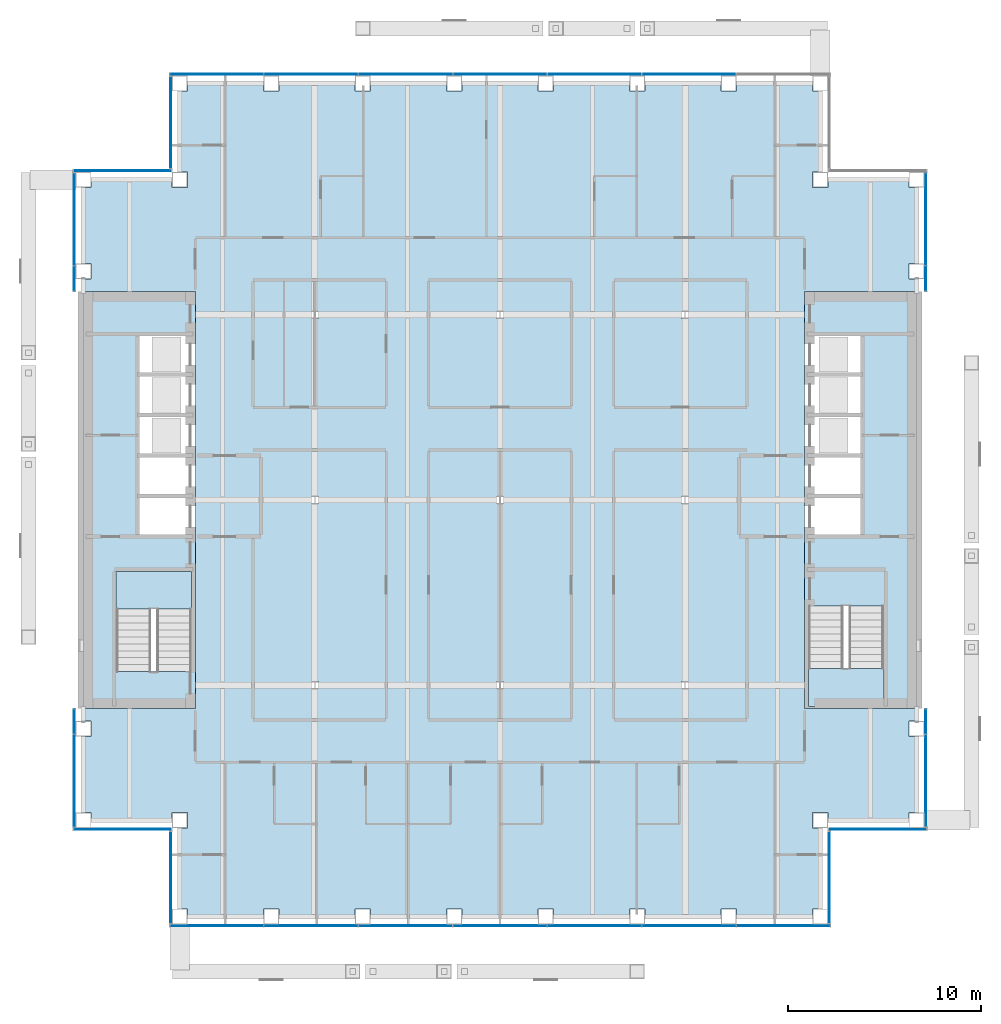
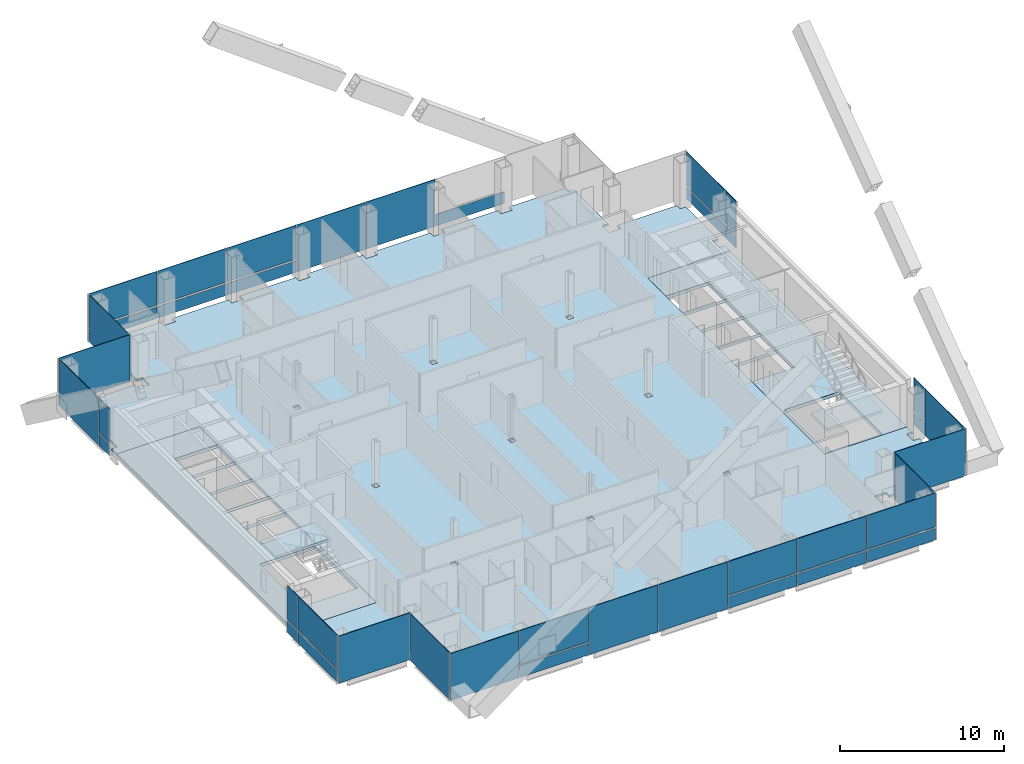
# One storey, part 11 of 17: 40 plates, 5 slabs, 14 elements without a shape of their own.
"""IFC4 building model written with IfcOpenShell, lengths in metres."""

from ifc_helpers import new_model, si_unit, direction, frame, origin, origin_2d, place, context, subcontext, project, spatial, polyline, rectangle, outline, extrude, material, layer, layer_set, type_object, element, aggregate, save


model = new_model("IFC4")

# Units and contexts
model_context = context("Model", 3, precision=1e-05, world=origin(), true_north=direction((0.0, 1.0)))
body_context = subcontext(model_context, "Body", "Model", "MODEL_VIEW")
ifc_project = project(units=[si_unit("LENGTHUNIT", "METRE"), si_unit("AREAUNIT", "SQUARE_METRE"), si_unit("VOLUMEUNIT", "CUBIC_METRE"), si_unit("PLANEANGLEUNIT", "RADIAN"), si_unit("MASSUNIT", "GRAM", prefix="KILO")], contexts=[model_context])

# Site, building, storey
site_placement = place(None, origin())
site = spatial("IfcSite", under=ifc_project, at=site_placement, CompositionType="ELEMENT")
building_placement = place(site_placement, origin())
building = spatial("IfcBuilding", under=site, at=building_placement, Name="Cobrizo Arcos Hotel Tower", CompositionType="ELEMENT")
storey_placement = place(building_placement, frame((0.0, 0.0, 151.5)))
storey = spatial("IfcBuildingStorey", under=building, at=storey_placement, Name="L38", CompositionType="ELEMENT", Elevation=151.5)

# Curtain wall, plates
ifc_material_1 = material(Name="Aluminium 6063-T6 anodised bronze", Category="aluminium")
curtain_wall_type = type_object("IfcCurtainWallType", Name="CW-A guest facade", PredefinedType="NOTDEFINED", material=ifc_material_1)
curtain_wall_1_placement = place(storey_placement, origin())
curtain_wall_1 = element("IfcCurtainWall", 1, at=curtain_wall_1_placement, inside=storey, type_object=curtain_wall_type, Name="CW-A L38 S face", PredefinedType="NOTDEFINED")
ifc_material_2 = material(Name="Glass clear laminated low-e", Category="glass")
ifc_layer_1 = layer(ifc_material_2, 0.0400390625)
ifc_layer_set_1 = layer_set([ifc_layer_1], Name="CW-A glass panel")
plate_type_1 = type_object("IfcPlateType", Name="CW-A glass panel", PredefinedType="CURTAIN_PANEL", material=ifc_layer_set_1)
plate_1_placement = place(storey_placement, frame((-9.800048828125, -22.074951171875, 0.990234375), z_axis=(0.0, 0.0, 1.0), x_axis=(1.0, 0.0, 0.0)))
plate_1 = element("IfcPlate", 2, at=plate_1_placement, type_object=plate_type_1, Name="CW-A glass panel 1367", PredefinedType="CURTAIN_PANEL", context=body_context, shape_type="SweptSolid", body=[
    extrude(rectangle(XDim=4.840087890625, YDim=0.0400390625, at=origin_2d()), origin(), (0.0, 0.0, 1.0), 2.510009765625),
])
plate_2_placement = place(storey_placement, frame((4.89990234375, -22.074951171875, 0.990234375), z_axis=(0.0, 0.0, 1.0), x_axis=(1.0, 0.0, 0.0)))
plate_2 = element("IfcPlate", 3, at=plate_2_placement, type_object=plate_type_1, Name="CW-A glass panel 1370", PredefinedType="CURTAIN_PANEL", context=body_context, shape_type="SweptSolid", body=[
    extrude(rectangle(XDim=4.840087890625, YDim=0.0400390625, at=origin_2d()), origin(), (0.0, 0.0, 1.0), 2.510009765625),
])
plate_3_placement = place(storey_placement, frame((9.800048828125, -22.074951171875, 0.990234375), z_axis=(0.0, 0.0, 1.0), x_axis=(1.0, 0.0, 0.0)))
plate_3 = element("IfcPlate", 4, at=plate_3_placement, type_object=plate_type_1, Name="CW-A glass panel 1371", PredefinedType="CURTAIN_PANEL", context=body_context, shape_type="SweptSolid", body=[
    extrude(rectangle(XDim=4.840087890625, YDim=0.0400390625, at=origin_2d()), origin(), (0.0, 0.0, 1.0), 2.510009765625),
])
plate_4_placement = place(storey_placement, frame((14.68505859375, -22.074951171875, 0.990234375), z_axis=(0.0, 0.0, 1.0), x_axis=(1.0, 0.0, 0.0)))
plate_4 = element("IfcPlate", 5, at=plate_4_placement, type_object=plate_type_1, Name="CW-A glass panel 1372", PredefinedType="CURTAIN_PANEL", context=body_context, shape_type="SweptSolid", body=[
    extrude(rectangle(XDim=4.81005859375, YDim=0.0400390625, at=origin_2d()), origin(), (0.0, 0.0, 1.0), 2.510009765625),
])

# Curtain wall, plate
curtain_wall_2_placement = place(storey_placement, origin())
curtain_wall_2 = element("IfcCurtainWall", 6, at=curtain_wall_2_placement, inside=storey, type_object=curtain_wall_type, Name="CW-A L38 E face", PredefinedType="NOTDEFINED")
plate_5_placement = place(storey_placement, frame((22.074951171875, -11.486328125, 0.990234375), z_axis=(0.0, 0.0, 1.0), x_axis=(0.0, 1.0, 0.0)))
plate_5 = element("IfcPlate", 7, at=plate_5_placement, type_object=plate_type_1, Name="CW-A glass panel 1376", PredefinedType="CURTAIN_PANEL", context=body_context, shape_type="SweptSolid", body=[
    extrude(rectangle(XDim=1.2529296875, YDim=0.0400390625, at=origin_2d()), origin(), (0.0, 0.0, 1.0), 2.510009765625),
])

# Curtain wall, plates
curtain_wall_3_placement = place(storey_placement, origin())
curtain_wall_3 = element("IfcCurtainWall", 8, at=curtain_wall_3_placement, inside=storey, type_object=curtain_wall_type, Name="CW-A L38 E face", PredefinedType="NOTDEFINED")
plate_6_placement = place(storey_placement, frame((22.074951171875, 11.486328125, 0.990234375), z_axis=(0.0, 0.0, 1.0), x_axis=(0.0, 1.0, 0.0)))
plate_6 = element("IfcPlate", 9, at=plate_6_placement, type_object=plate_type_1, Name="CW-A glass panel 1377", PredefinedType="CURTAIN_PANEL", context=body_context, shape_type="SweptSolid", body=[
    extrude(rectangle(XDim=1.2529296875, YDim=0.0400390625, at=origin_2d()), origin(), (0.0, 0.0, 1.0), 2.510009765625),
])
plate_7_placement = place(storey_placement, frame((22.074951171875, 14.556396484375, 0.990234375), z_axis=(0.0, 0.0, 1.0), x_axis=(0.0, 1.0, 0.0)))
plate_7 = element("IfcPlate", 10, at=plate_7_placement, type_object=plate_type_1, Name="CW-A glass panel 1378", PredefinedType="CURTAIN_PANEL", context=body_context, shape_type="SweptSolid", body=[
    extrude(rectangle(XDim=4.76708984375, YDim=0.0400390625, at=origin_2d()), origin(), (0.0, 0.0, 1.0), 2.510009765625),
])

curtain_wall_4_placement = place(storey_placement, origin())
curtain_wall_4 = element("IfcCurtainWall", 11, at=curtain_wall_4_placement, inside=storey, type_object=curtain_wall_type, Name="CW-A L38 N face", PredefinedType="NOTDEFINED")
plate_8_placement = place(storey_placement, frame((-4.89990234375, 22.074951171875, 0.990234375), z_axis=(0.0, 0.0, 1.0), x_axis=(-1.0, 0.0, 0.0)))
plate_8 = element("IfcPlate", 12, at=plate_8_placement, type_object=plate_type_1, Name="CW-A glass panel 1385", PredefinedType="CURTAIN_PANEL", context=body_context, shape_type="SweptSolid", body=[
    extrude(rectangle(XDim=4.840087890625, YDim=0.0400390625, at=origin_2d()), origin(), (0.0, 0.0, 1.0), 2.510009765625),
])
plate_9_placement = place(storey_placement, frame((-9.800048828125, 22.074951171875, 0.990234375), z_axis=(0.0, 0.0, 1.0), x_axis=(-1.0, 0.0, 0.0)))
plate_9 = element("IfcPlate", 13, at=plate_9_placement, type_object=plate_type_1, Name="CW-A glass panel 1386", PredefinedType="CURTAIN_PANEL", context=body_context, shape_type="SweptSolid", body=[
    extrude(rectangle(XDim=4.840087890625, YDim=0.0400390625, at=origin_2d()), origin(), (0.0, 0.0, 1.0), 2.510009765625),
])
plate_10_placement = place(storey_placement, frame((-14.68505859375, 22.074951171875, 0.990234375), z_axis=(0.0, 0.0, 1.0), x_axis=(-1.0, 0.0, 0.0)))
plate_10 = element("IfcPlate", 14, at=plate_10_placement, type_object=plate_type_1, Name="CW-A glass panel 1387", PredefinedType="CURTAIN_PANEL", context=body_context, shape_type="SweptSolid", body=[
    extrude(rectangle(XDim=4.81005859375, YDim=0.0400390625, at=origin_2d()), origin(), (0.0, 0.0, 1.0), 2.510009765625),
])

# Curtain wall, plate
curtain_wall_5_placement = place(storey_placement, origin())
curtain_wall_5 = element("IfcCurtainWall", 15, at=curtain_wall_5_placement, inside=storey, type_object=curtain_wall_type, Name="CW-A L38 W face", PredefinedType="NOTDEFINED")
plate_11_placement = place(storey_placement, frame((-22.074951171875, 11.486328125, 0.990234375), z_axis=(0.0, 0.0, 1.0), x_axis=(0.0, -1.0, 0.0)))
plate_11 = element("IfcPlate", 16, at=plate_11_placement, type_object=plate_type_1, Name="CW-A glass panel 1391", PredefinedType="CURTAIN_PANEL", context=body_context, shape_type="SweptSolid", body=[
    extrude(rectangle(XDim=1.2529296875, YDim=0.0400390625, at=origin_2d()), origin(), (0.0, 0.0, 1.0), 2.510009765625),
])

# Curtain wall, plates
curtain_wall_6_placement = place(storey_placement, origin())
curtain_wall_6 = element("IfcCurtainWall", 17, at=curtain_wall_6_placement, inside=storey, type_object=curtain_wall_type, Name="CW-A L38 W face", PredefinedType="NOTDEFINED")
plate_12_placement = place(storey_placement, frame((-22.074951171875, -11.486328125, 0.990234375), z_axis=(0.0, 0.0, 1.0), x_axis=(0.0, -1.0, 0.0)))
plate_12 = element("IfcPlate", 18, at=plate_12_placement, type_object=plate_type_1, Name="CW-A glass panel 1392", PredefinedType="CURTAIN_PANEL", context=body_context, shape_type="SweptSolid", body=[
    extrude(rectangle(XDim=1.2529296875, YDim=0.0400390625, at=origin_2d()), origin(), (0.0, 0.0, 1.0), 2.510009765625),
])
plate_13_placement = place(storey_placement, frame((-22.074951171875, -14.556396484375, 0.990234375), z_axis=(0.0, 0.0, 1.0), x_axis=(0.0, -1.0, 0.0)))
plate_13 = element("IfcPlate", 19, at=plate_13_placement, type_object=plate_type_1, Name="CW-A glass panel 1393", PredefinedType="CURTAIN_PANEL", context=body_context, shape_type="SweptSolid", body=[
    extrude(rectangle(XDim=4.76708984375, YDim=0.0400390625, at=origin_2d()), origin(), (0.0, 0.0, 1.0), 2.510009765625),
])

# Plate
ifc_material_3 = material(Name="Aluminium composite panel pale metal", Category="aluminium")
ifc_layer_2 = layer(ifc_material_3, 0.0400390625)
ifc_layer_set_2 = layer_set([ifc_layer_2], Name="CW-A spandrel panel")
plate_type_2 = type_object("IfcPlateType", Name="CW-A spandrel panel", PredefinedType="CURTAIN_PANEL", material=ifc_layer_set_2)
plate_14_placement = place(storey_placement, frame((-14.68505859375, -22.074951171875, 0.0), z_axis=(0.0, 0.0, 1.0), x_axis=(1.0, 0.0, 0.0)))
plate_14 = element("IfcPlate", 20, at=plate_14_placement, type_object=plate_type_2, Name="CW-A spandrel panel 1366", PredefinedType="CURTAIN_PANEL", context=body_context, shape_type="SweptSolid", body=[
    extrude(rectangle(XDim=4.81005859375, YDim=0.0400390625, at=origin_2d()), origin(), (0.0, 0.0, 1.0), 3.5),
])

plate_15_placement = place(storey_placement, frame((-9.800048828125, -22.074951171875, 0.0), z_axis=(0.0, 0.0, 1.0), x_axis=(1.0, 0.0, 0.0)))
plate_15 = element("IfcPlate", 21, at=plate_15_placement, type_object=plate_type_2, Name="CW-A spandrel panel 1367", PredefinedType="CURTAIN_PANEL", context=body_context, shape_type="SweptSolid", body=[
    extrude(rectangle(XDim=4.840087890625, YDim=0.0400390625, at=origin_2d()), origin(), (0.0, 0.0, 1.0), 0.8701171875),
])

plate_16_placement = place(storey_placement, frame((-4.89990234375, -22.074951171875, 0.0), z_axis=(0.0, 0.0, 1.0), x_axis=(1.0, 0.0, 0.0)))
plate_16 = element("IfcPlate", 22, at=plate_16_placement, type_object=plate_type_2, Name="CW-A spandrel panel 1368", PredefinedType="CURTAIN_PANEL", context=body_context, shape_type="SweptSolid", body=[
    extrude(rectangle(XDim=4.840087890625, YDim=0.0400390625, at=origin_2d()), origin(), (0.0, 0.0, 1.0), 3.5),
])

plate_17_placement = place(storey_placement, frame((0.0, -22.074951171875, 0.0), z_axis=(0.0, 0.0, 1.0), x_axis=(1.0, 0.0, 0.0)))
plate_17 = element("IfcPlate", 23, at=plate_17_placement, type_object=plate_type_2, Name="CW-A spandrel panel 1369", PredefinedType="CURTAIN_PANEL", context=body_context, shape_type="SweptSolid", body=[
    extrude(rectangle(XDim=4.840087890625, YDim=0.0400390625, at=origin_2d()), origin(), (0.0, 0.0, 1.0), 3.5),
])

plate_18_placement = place(storey_placement, frame((4.89990234375, -22.074951171875, 0.0), z_axis=(0.0, 0.0, 1.0), x_axis=(1.0, 0.0, 0.0)))
plate_18 = element("IfcPlate", 24, at=plate_18_placement, type_object=plate_type_2, Name="CW-A spandrel panel 1370", PredefinedType="CURTAIN_PANEL", context=body_context, shape_type="SweptSolid", body=[
    extrude(rectangle(XDim=4.840087890625, YDim=0.0400390625, at=origin_2d()), origin(), (0.0, 0.0, 1.0), 0.8701171875),
])

plate_19_placement = place(storey_placement, frame((9.800048828125, -22.074951171875, 0.0), z_axis=(0.0, 0.0, 1.0), x_axis=(1.0, 0.0, 0.0)))
plate_19 = element("IfcPlate", 25, at=plate_19_placement, type_object=plate_type_2, Name="CW-A spandrel panel 1371", PredefinedType="CURTAIN_PANEL", context=body_context, shape_type="SweptSolid", body=[
    extrude(rectangle(XDim=4.840087890625, YDim=0.0400390625, at=origin_2d()), origin(), (0.0, 0.0, 1.0), 0.8701171875),
])

plate_20_placement = place(storey_placement, frame((14.68505859375, -22.074951171875, 0.0), z_axis=(0.0, 0.0, 1.0), x_axis=(1.0, 0.0, 0.0)))
plate_20 = element("IfcPlate", 26, at=plate_20_placement, type_object=plate_type_2, Name="CW-A spandrel panel 1372", PredefinedType="CURTAIN_PANEL", context=body_context, shape_type="SweptSolid", body=[
    extrude(rectangle(XDim=4.81005859375, YDim=0.0400390625, at=origin_2d()), origin(), (0.0, 0.0, 1.0), 0.8701171875),
])

aggregate(curtain_wall_1, [plate_14, plate_15, plate_1, plate_16, plate_17, plate_18, plate_2, plate_19, plate_3, plate_20, plate_4])

# Curtain wall, plate
curtain_wall_7_placement = place(storey_placement, origin())
curtain_wall_7 = element("IfcCurtainWall", 27, at=curtain_wall_7_placement, inside=storey, type_object=curtain_wall_type, Name="CW-A L38 E face", PredefinedType="NOTDEFINED")
plate_21_placement = place(storey_placement, frame((17.074951171875, -19.574951171875, 0.0), z_axis=(0.0, 0.0, 1.0), x_axis=(0.0, 1.0, 0.0)))
plate_21 = element("IfcPlate", 28, at=plate_21_placement, type_object=plate_type_2, Name="CW-A spandrel panel 1373", PredefinedType="CURTAIN_PANEL", context=body_context, shape_type="SweptSolid", body=[
    extrude(rectangle(XDim=4.72998046875, YDim=0.0400390625, at=origin_2d()), origin(), (0.0, 0.0, 1.0), 3.5),
])
aggregate(curtain_wall_7, [plate_21])

curtain_wall_8_placement = place(storey_placement, origin())
curtain_wall_8 = element("IfcCurtainWall", 29, at=curtain_wall_8_placement, inside=storey, type_object=curtain_wall_type, Name="CW-A L38 S face", PredefinedType="NOTDEFINED")
plate_22_placement = place(storey_placement, frame((19.574951171875, -17.074951171875, 0.0), z_axis=(0.0, 0.0, 1.0), x_axis=(1.0, 0.0, 0.0)))
plate_22 = element("IfcPlate", 30, at=plate_22_placement, type_object=plate_type_2, Name="CW-A spandrel panel 1374", PredefinedType="CURTAIN_PANEL", context=body_context, shape_type="SweptSolid", body=[
    extrude(rectangle(XDim=5.030029296875, YDim=0.0400390625, at=origin_2d()), origin(), (0.0, 0.0, 1.0), 3.5),
])
aggregate(curtain_wall_8, [plate_22])

# Plate
plate_23_placement = place(storey_placement, frame((22.074951171875, -14.556396484375, 0.0), z_axis=(0.0, 0.0, 1.0), x_axis=(0.0, 1.0, 0.0)))
plate_23 = element("IfcPlate", 31, at=plate_23_placement, type_object=plate_type_2, Name="CW-A spandrel panel 1375", PredefinedType="CURTAIN_PANEL", context=body_context, shape_type="SweptSolid", body=[
    extrude(rectangle(XDim=4.76708984375, YDim=0.0400390625, at=origin_2d()), origin(), (0.0, 0.0, 1.0), 3.5),
])

plate_24_placement = place(storey_placement, frame((22.074951171875, -11.486328125, 0.0), z_axis=(0.0, 0.0, 1.0), x_axis=(0.0, 1.0, 0.0)))
plate_24 = element("IfcPlate", 32, at=plate_24_placement, type_object=plate_type_2, Name="CW-A spandrel panel 1376", PredefinedType="CURTAIN_PANEL", context=body_context, shape_type="SweptSolid", body=[
    extrude(rectangle(XDim=1.2529296875, YDim=0.0400390625, at=origin_2d()), origin(), (0.0, 0.0, 1.0), 0.8701171875),
])

aggregate(curtain_wall_2, [plate_23, plate_24, plate_5])

plate_25_placement = place(storey_placement, frame((22.074951171875, 11.486328125, 0.0), z_axis=(0.0, 0.0, 1.0), x_axis=(0.0, 1.0, 0.0)))
plate_25 = element("IfcPlate", 33, at=plate_25_placement, type_object=plate_type_2, Name="CW-A spandrel panel 1377", PredefinedType="CURTAIN_PANEL", context=body_context, shape_type="SweptSolid", body=[
    extrude(rectangle(XDim=1.2529296875, YDim=0.0400390625, at=origin_2d()), origin(), (0.0, 0.0, 1.0), 0.8701171875),
])

plate_26_placement = place(storey_placement, frame((22.074951171875, 14.556396484375, 0.0), z_axis=(0.0, 0.0, 1.0), x_axis=(0.0, 1.0, 0.0)))
plate_26 = element("IfcPlate", 34, at=plate_26_placement, type_object=plate_type_2, Name="CW-A spandrel panel 1378", PredefinedType="CURTAIN_PANEL", context=body_context, shape_type="SweptSolid", body=[
    extrude(rectangle(XDim=4.76708984375, YDim=0.0400390625, at=origin_2d()), origin(), (0.0, 0.0, 1.0), 0.8701171875),
])

aggregate(curtain_wall_3, [plate_25, plate_6, plate_26, plate_7])

plate_27_placement = place(storey_placement, frame((9.800048828125, 22.074951171875, 0.0), z_axis=(0.0, 0.0, 1.0), x_axis=(-1.0, 0.0, 0.0)))
plate_27 = element("IfcPlate", 35, at=plate_27_placement, type_object=plate_type_2, Name="CW-A spandrel panel 1382", PredefinedType="CURTAIN_PANEL", context=body_context, shape_type="SweptSolid", body=[
    extrude(rectangle(XDim=4.840087890625, YDim=0.0400390625, at=origin_2d()), origin(), (0.0, 0.0, 1.0), 0.8701171875),
])

plate_28_placement = place(storey_placement, frame((4.89990234375, 22.074951171875, 0.0), z_axis=(0.0, 0.0, 1.0), x_axis=(-1.0, 0.0, 0.0)))
plate_28 = element("IfcPlate", 36, at=plate_28_placement, type_object=plate_type_2, Name="CW-A spandrel panel 1383", PredefinedType="CURTAIN_PANEL", context=body_context, shape_type="SweptSolid", body=[
    extrude(rectangle(XDim=4.840087890625, YDim=0.0400390625, at=origin_2d()), origin(), (0.0, 0.0, 1.0), 3.5),
])

plate_29_placement = place(storey_placement, frame((0.0, 22.074951171875, 0.0), z_axis=(0.0, 0.0, 1.0), x_axis=(-1.0, 0.0, 0.0)))
plate_29 = element("IfcPlate", 37, at=plate_29_placement, type_object=plate_type_2, Name="CW-A spandrel panel 1384", PredefinedType="CURTAIN_PANEL", context=body_context, shape_type="SweptSolid", body=[
    extrude(rectangle(XDim=4.840087890625, YDim=0.0400390625, at=origin_2d()), origin(), (0.0, 0.0, 1.0), 3.5),
])

plate_30_placement = place(storey_placement, frame((-4.89990234375, 22.074951171875, 0.0), z_axis=(0.0, 0.0, 1.0), x_axis=(-1.0, 0.0, 0.0)))
plate_30 = element("IfcPlate", 38, at=plate_30_placement, type_object=plate_type_2, Name="CW-A spandrel panel 1385", PredefinedType="CURTAIN_PANEL", context=body_context, shape_type="SweptSolid", body=[
    extrude(rectangle(XDim=4.840087890625, YDim=0.0400390625, at=origin_2d()), origin(), (0.0, 0.0, 1.0), 0.8701171875),
])

plate_31_placement = place(storey_placement, frame((-9.800048828125, 22.074951171875, 0.0), z_axis=(0.0, 0.0, 1.0), x_axis=(-1.0, 0.0, 0.0)))
plate_31 = element("IfcPlate", 39, at=plate_31_placement, type_object=plate_type_2, Name="CW-A spandrel panel 1386", PredefinedType="CURTAIN_PANEL", context=body_context, shape_type="SweptSolid", body=[
    extrude(rectangle(XDim=4.840087890625, YDim=0.0400390625, at=origin_2d()), origin(), (0.0, 0.0, 1.0), 0.8701171875),
])

plate_32_placement = place(storey_placement, frame((-14.68505859375, 22.074951171875, 0.0), z_axis=(0.0, 0.0, 1.0), x_axis=(-1.0, 0.0, 0.0)))
plate_32 = element("IfcPlate", 40, at=plate_32_placement, type_object=plate_type_2, Name="CW-A spandrel panel 1387", PredefinedType="CURTAIN_PANEL", context=body_context, shape_type="SweptSolid", body=[
    extrude(rectangle(XDim=4.81005859375, YDim=0.0400390625, at=origin_2d()), origin(), (0.0, 0.0, 1.0), 0.8701171875),
])

aggregate(curtain_wall_4, [plate_27, plate_28, plate_29, plate_30, plate_8, plate_31, plate_9, plate_32, plate_10])

# Curtain wall, plate
curtain_wall_9_placement = place(storey_placement, origin())
curtain_wall_9 = element("IfcCurtainWall", 41, at=curtain_wall_9_placement, inside=storey, type_object=curtain_wall_type, Name="CW-A L38 W face", PredefinedType="NOTDEFINED")
plate_33_placement = place(storey_placement, frame((-17.074951171875, 19.574951171875, 0.0), z_axis=(0.0, 0.0, 1.0), x_axis=(0.0, -1.0, 0.0)))
plate_33 = element("IfcPlate", 42, at=plate_33_placement, type_object=plate_type_2, Name="CW-A spandrel panel 1388", PredefinedType="CURTAIN_PANEL", context=body_context, shape_type="SweptSolid", body=[
    extrude(rectangle(XDim=4.72998046875, YDim=0.0400390625, at=origin_2d()), origin(), (0.0, 0.0, 1.0), 3.5),
])
aggregate(curtain_wall_9, [plate_33])

curtain_wall_10_placement = place(storey_placement, origin())
curtain_wall_10 = element("IfcCurtainWall", 43, at=curtain_wall_10_placement, inside=storey, type_object=curtain_wall_type, Name="CW-A L38 N face", PredefinedType="NOTDEFINED")
plate_34_placement = place(storey_placement, frame((-19.574951171875, 17.074951171875, 0.0), z_axis=(0.0, 0.0, 1.0), x_axis=(-1.0, 0.0, 0.0)))
plate_34 = element("IfcPlate", 44, at=plate_34_placement, type_object=plate_type_2, Name="CW-A spandrel panel 1389", PredefinedType="CURTAIN_PANEL", context=body_context, shape_type="SweptSolid", body=[
    extrude(rectangle(XDim=5.030029296875, YDim=0.0400390625, at=origin_2d()), origin(), (0.0, 0.0, 1.0), 3.5),
])
aggregate(curtain_wall_10, [plate_34])

# Plate
plate_35_placement = place(storey_placement, frame((-22.074951171875, 14.556396484375, 0.0), z_axis=(0.0, 0.0, 1.0), x_axis=(0.0, -1.0, 0.0)))
plate_35 = element("IfcPlate", 45, at=plate_35_placement, type_object=plate_type_2, Name="CW-A spandrel panel 1390", PredefinedType="CURTAIN_PANEL", context=body_context, shape_type="SweptSolid", body=[
    extrude(rectangle(XDim=4.76708984375, YDim=0.0400390625, at=origin_2d()), origin(), (0.0, 0.0, 1.0), 3.5),
])

plate_36_placement = place(storey_placement, frame((-22.074951171875, 11.486328125, 0.0), z_axis=(0.0, 0.0, 1.0), x_axis=(0.0, -1.0, 0.0)))
plate_36 = element("IfcPlate", 46, at=plate_36_placement, type_object=plate_type_2, Name="CW-A spandrel panel 1391", PredefinedType="CURTAIN_PANEL", context=body_context, shape_type="SweptSolid", body=[
    extrude(rectangle(XDim=1.2529296875, YDim=0.0400390625, at=origin_2d()), origin(), (0.0, 0.0, 1.0), 0.8701171875),
])

aggregate(curtain_wall_5, [plate_35, plate_36, plate_11])

plate_37_placement = place(storey_placement, frame((-22.074951171875, -11.486328125, 0.0), z_axis=(0.0, 0.0, 1.0), x_axis=(0.0, -1.0, 0.0)))
plate_37 = element("IfcPlate", 47, at=plate_37_placement, type_object=plate_type_2, Name="CW-A spandrel panel 1392", PredefinedType="CURTAIN_PANEL", context=body_context, shape_type="SweptSolid", body=[
    extrude(rectangle(XDim=1.2529296875, YDim=0.0400390625, at=origin_2d()), origin(), (0.0, 0.0, 1.0), 0.8701171875),
])

plate_38_placement = place(storey_placement, frame((-22.074951171875, -14.556396484375, 0.0), z_axis=(0.0, 0.0, 1.0), x_axis=(0.0, -1.0, 0.0)))
plate_38 = element("IfcPlate", 48, at=plate_38_placement, type_object=plate_type_2, Name="CW-A spandrel panel 1393", PredefinedType="CURTAIN_PANEL", context=body_context, shape_type="SweptSolid", body=[
    extrude(rectangle(XDim=4.76708984375, YDim=0.0400390625, at=origin_2d()), origin(), (0.0, 0.0, 1.0), 0.8701171875),
])

aggregate(curtain_wall_6, [plate_37, plate_12, plate_38, plate_13])

# Curtain wall, plate
curtain_wall_11_placement = place(storey_placement, origin())
curtain_wall_11 = element("IfcCurtainWall", 49, at=curtain_wall_11_placement, inside=storey, type_object=curtain_wall_type, Name="CW-A L38 S face", PredefinedType="NOTDEFINED")
plate_39_placement = place(storey_placement, frame((-19.574951171875, -17.074951171875, 0.0), z_axis=(0.0, 0.0, 1.0), x_axis=(1.0, 0.0, 0.0)))
plate_39 = element("IfcPlate", 50, at=plate_39_placement, type_object=plate_type_2, Name="CW-A spandrel panel 1394", PredefinedType="CURTAIN_PANEL", context=body_context, shape_type="SweptSolid", body=[
    extrude(rectangle(XDim=5.030029296875, YDim=0.0400390625, at=origin_2d()), origin(), (0.0, 0.0, 1.0), 3.5),
])
aggregate(curtain_wall_11, [plate_39])

curtain_wall_12_placement = place(storey_placement, origin())
curtain_wall_12 = element("IfcCurtainWall", 51, at=curtain_wall_12_placement, inside=storey, type_object=curtain_wall_type, Name="CW-A L38 W face", PredefinedType="NOTDEFINED")
plate_40_placement = place(storey_placement, frame((-17.074951171875, -19.574951171875, 0.0), z_axis=(0.0, 0.0, 1.0), x_axis=(0.0, -1.0, 0.0)))
plate_40 = element("IfcPlate", 52, at=plate_40_placement, type_object=plate_type_2, Name="CW-A spandrel panel 1395", PredefinedType="CURTAIN_PANEL", context=body_context, shape_type="SweptSolid", body=[
    extrude(rectangle(XDim=4.72998046875, YDim=0.0400390625, at=origin_2d()), origin(), (0.0, 0.0, 1.0), 3.5),
])
aggregate(curtain_wall_12, [plate_40])

# Slabs
ifc_material_4 = material(Name="Concrete f'c 35 MPa", Category="concrete")
ifc_layer_3 = layer(ifc_material_4, 0.14990234375)
ifc_layer_set_3 = layer_set([ifc_layer_3], Name="Composite floor slab 150 f'c 35")
slab_type_1 = type_object("IfcSlabType", Name="Composite floor slab 150 f'c 35", PredefinedType="FLOOR", material=ifc_layer_set_3)
slab_1_placement = place(storey_placement, frame((0.0, 0.0, -0.14990234375)))
element("IfcSlab", 53, at=slab_1_placement, inside=storey, type_object=slab_type_1, Name="Floor slab S5, L38, no. 01", PredefinedType="FLOOR", context=body_context, shape_type="SweptSolid", body=[
    extrude(outline(polyline([(-16.199951171875, -21.60009765625), (-16.199951171875, -21.199951171875), (-16.60009765625, -21.199951171875), (-16.60009765625, -17.0), (-16.199951171875, -17.0), (-16.199951171875, -16.199951171875), (-17.0, -16.199951171875), (-17.0, -16.60009765625), (-21.199951171875, -16.60009765625), (-21.199951171875, -16.199951171875), (-21.60009765625, -16.199951171875), (-21.60009765625, -12.257080078125), (-21.199951171875, -12.257080078125), (-21.199951171875, -11.45703125), (-21.60009765625, -11.45703125), (-21.60009765625, -10.800048828125), (-15.800048828125, -10.800048828125), (-15.800048828125, 10.800048828125), (-21.60009765625, 10.800048828125), (-21.60009765625, 11.45703125), (-21.199951171875, 11.45703125), (-21.199951171875, 12.257080078125), (-21.60009765625, 12.257080078125), (-21.60009765625, 16.199951171875), (-21.199951171875, 16.199951171875), (-21.199951171875, 16.60009765625), (-17.0, 16.60009765625), (-17.0, 16.199951171875), (-16.199951171875, 16.199951171875), (-16.199951171875, 17.0), (-16.60009765625, 17.0), (-16.60009765625, 21.199951171875), (-16.199951171875, 21.199951171875), (-16.199951171875, 21.60009765625), (-12.257080078125, 21.60009765625), (-12.257080078125, 21.199951171875), (-11.45703125, 21.199951171875), (-11.45703125, 21.60009765625), (-7.513916015625, 21.60009765625), (-7.513916015625, 21.199951171875), (-6.714111328125, 21.199951171875), (-6.714111328125, 21.60009765625), (-2.77099609375, 21.60009765625), (-2.77099609375, 21.199951171875), (-1.970947265625, 21.199951171875), (-1.970947265625, 21.60009765625), (1.970947265625, 21.60009765625), (1.970947265625, 21.199951171875), (2.77099609375, 21.199951171875), (2.77099609375, 21.60009765625), (6.714111328125, 21.60009765625), (6.714111328125, 21.199951171875), (7.513916015625, 21.199951171875), (7.513916015625, 21.60009765625), (11.45703125, 21.60009765625), (11.45703125, 21.199951171875), (12.257080078125, 21.199951171875), (12.257080078125, 21.60009765625), (16.199951171875, 21.60009765625), (16.199951171875, 21.199951171875), (16.60009765625, 21.199951171875), (16.60009765625, 17.0), (16.199951171875, 17.0), (16.199951171875, 16.199951171875), (17.0, 16.199951171875), (17.0, 16.60009765625), (21.199951171875, 16.60009765625), (21.199951171875, 16.199951171875), (21.60009765625, 16.199951171875), (21.60009765625, 12.257080078125), (21.199951171875, 12.257080078125), (21.199951171875, 11.45703125), (21.60009765625, 11.45703125), (21.60009765625, 10.800048828125), (15.800048828125, 10.800048828125), (15.800048828125, -10.800048828125), (21.60009765625, -10.800048828125), (21.60009765625, -11.45703125), (21.199951171875, -11.45703125), (21.199951171875, -12.257080078125), (21.60009765625, -12.257080078125), (21.60009765625, -16.199951171875), (21.199951171875, -16.199951171875), (21.199951171875, -16.60009765625), (17.0, -16.60009765625), (17.0, -16.199951171875), (16.199951171875, -16.199951171875), (16.199951171875, -17.0), (16.60009765625, -17.0), (16.60009765625, -21.199951171875), (16.199951171875, -21.199951171875), (16.199951171875, -21.60009765625), (12.257080078125, -21.60009765625), (12.257080078125, -21.199951171875), (11.45703125, -21.199951171875), (11.45703125, -21.60009765625), (7.513916015625, -21.60009765625), (7.513916015625, -21.199951171875), (6.714111328125, -21.199951171875), (6.714111328125, -21.60009765625), (2.77099609375, -21.60009765625), (2.77099609375, -21.199951171875), (1.970947265625, -21.199951171875), (1.970947265625, -21.60009765625), (-1.970947265625, -21.60009765625), (-1.970947265625, -21.199951171875), (-2.77099609375, -21.199951171875), (-2.77099609375, -21.60009765625), (-6.714111328125, -21.60009765625), (-6.714111328125, -21.199951171875), (-7.513916015625, -21.199951171875), (-7.513916015625, -21.60009765625), (-11.45703125, -21.60009765625), (-11.45703125, -21.199951171875), (-12.257080078125, -21.199951171875), (-12.257080078125, -21.60009765625), (-16.199951171875, -21.60009765625)]), holes=[polyline([(-0.186767578125, -9.78662109375), (0.186767578125, -9.78662109375), (0.186767578125, -9.413330078125), (-0.186767578125, -9.413330078125), (-0.186767578125, -9.78662109375)]), polyline([(-9.78662109375, -9.78662109375), (-9.413330078125, -9.78662109375), (-9.413330078125, -9.413330078125), (-9.78662109375, -9.413330078125), (-9.78662109375, -9.78662109375)]), polyline([(-9.413330078125, -0.186767578125), (-9.413330078125, 0.186767578125), (-9.78662109375, 0.186767578125), (-9.78662109375, -0.186767578125), (-9.413330078125, -0.186767578125)]), polyline([(0.186767578125, -0.186767578125), (0.186767578125, 0.186767578125), (-0.186767578125, 0.186767578125), (-0.186767578125, -0.186767578125), (0.186767578125, -0.186767578125)]), polyline([(-9.78662109375, 9.413330078125), (-9.413330078125, 9.413330078125), (-9.413330078125, 9.78662109375), (-9.78662109375, 9.78662109375), (-9.78662109375, 9.413330078125)]), polyline([(9.413330078125, -9.78662109375), (9.78662109375, -9.78662109375), (9.78662109375, -9.413330078125), (9.413330078125, -9.413330078125), (9.413330078125, -9.78662109375)]), polyline([(9.413330078125, -0.186767578125), (9.78662109375, -0.186767578125), (9.78662109375, 0.186767578125), (9.413330078125, 0.186767578125), (9.413330078125, -0.186767578125)]), polyline([(9.78662109375, 9.413330078125), (9.78662109375, 9.78662109375), (9.413330078125, 9.78662109375), (9.413330078125, 9.413330078125), (9.78662109375, 9.413330078125)]), polyline([(0.186767578125, 9.413330078125), (0.186767578125, 9.78662109375), (-0.186767578125, 9.78662109375), (-0.186767578125, 9.413330078125), (0.186767578125, 9.413330078125)])]), origin(), (0.0, 0.0, 1.0), 0.14990234375),
])
ifc_material_5 = material(Name="Concrete f'c 50 MPa", Category="concrete")
ifc_layer_4 = layer(ifc_material_5, 0.25)
ifc_layer_set_4 = layer_set([ifc_layer_4], Name="RC core floor slab 250 f'c 50")
slab_type_2 = type_object("IfcSlabType", Name="RC core floor slab 250 f'c 50", PredefinedType="FLOOR", material=ifc_layer_set_4)
slab_2_placement = place(storey_placement, frame((0.0, 0.0, -0.25)))
element("IfcSlab", 54, at=slab_2_placement, inside=storey, type_object=slab_type_2, Name="Core floor slab CS5, east core, L38", PredefinedType="FLOOR", context=body_context, shape_type="SweptSolid", body=[
    extrude(outline(polyline([(15.800048828125, 10.800048828125), (21.60009765625, 10.800048828125), (21.60009765625, -10.800048828125), (15.800048828125, -10.800048828125), (15.800048828125, 10.800048828125)]), holes=[polyline([(19.89794921875, -10.697998046875), (19.89794921875, -5.501953125), (16.001953125, -5.501953125), (16.001953125, -10.697998046875), (19.89794921875, -10.697998046875)]), polyline([(15.802001953125, 0.197998046875), (15.802001953125, -1.89794921875), (18.798095703125, -1.89794921875), (18.798095703125, 0.197998046875), (15.802001953125, 0.197998046875)]), polyline([(15.802001953125, 2.298095703125), (15.802001953125, 0.201904296875), (18.798095703125, 0.201904296875), (18.798095703125, 2.298095703125), (15.802001953125, 2.298095703125)]), polyline([(15.802001953125, 4.39794921875), (15.802001953125, 2.302001953125), (18.798095703125, 2.302001953125), (18.798095703125, 4.39794921875), (15.802001953125, 4.39794921875)]), polyline([(18.798095703125, 6.498046875), (15.802001953125, 6.498046875), (15.802001953125, 4.402099609375), (18.798095703125, 4.402099609375), (18.798095703125, 6.498046875)]), polyline([(18.798095703125, 8.597900390625), (15.802001953125, 8.597900390625), (15.802001953125, 6.501953125), (18.798095703125, 6.501953125), (18.798095703125, 8.597900390625)])]), origin(), (0.0, 0.0, 1.0), 0.25),
])
slab_3_placement = place(storey_placement, frame((0.0, 0.0, -0.25)))
element("IfcSlab", 55, at=slab_3_placement, inside=storey, type_object=slab_type_2, Name="Core floor slab CS5, west core, L38", PredefinedType="FLOOR", context=body_context, shape_type="SweptSolid", body=[
    extrude(outline(polyline([(-21.60009765625, 10.800048828125), (-15.800048828125, 10.800048828125), (-15.800048828125, -10.800048828125), (-21.60009765625, -10.800048828125), (-21.60009765625, 10.800048828125)]), holes=[polyline([(-19.89794921875, -3.701904296875), (-19.89794921875, -8.89794921875), (-16.001953125, -8.89794921875), (-16.001953125, -3.701904296875), (-19.89794921875, -3.701904296875)]), polyline([(-18.798095703125, 0.197998046875), (-18.798095703125, -1.89794921875), (-15.802001953125, -1.89794921875), (-15.802001953125, 0.197998046875), (-18.798095703125, 0.197998046875)]), polyline([(-18.798095703125, 2.298095703125), (-18.798095703125, 0.201904296875), (-15.802001953125, 0.201904296875), (-15.802001953125, 2.298095703125), (-18.798095703125, 2.298095703125)]), polyline([(-18.798095703125, 4.39794921875), (-18.798095703125, 2.302001953125), (-15.802001953125, 2.302001953125), (-15.802001953125, 4.39794921875), (-18.798095703125, 4.39794921875)]), polyline([(-15.802001953125, 6.498046875), (-18.798095703125, 6.498046875), (-18.798095703125, 4.402099609375), (-15.802001953125, 4.402099609375), (-15.802001953125, 6.498046875)]), polyline([(-15.802001953125, 8.597900390625), (-18.798095703125, 8.597900390625), (-18.798095703125, 6.501953125), (-15.802001953125, 6.501953125), (-15.802001953125, 8.597900390625)])]), origin(), (0.0, 0.0, 1.0), 0.25),
])

# Stair, slab
ifc_material_6 = material(Name="Concrete f'c 40 MPa", Category="concrete")
stair_type = type_object("IfcStairType", Name="Exit stair", PredefinedType="HALF_TURN_STAIR", material=ifc_material_6)
stair_1_placement = place(storey_placement, origin())
stair_1 = element("IfcStair", 56, at=stair_1_placement, inside=storey, type_object=stair_type, Name="L38 Exit stair ST-W", PredefinedType="HALF_TURN_STAIR")
ifc_layer_5 = layer(ifc_material_6, 0.199951171875)
ifc_layer_set_5 = layer_set([ifc_layer_5], Name="Stair landing")
slab_type_3 = type_object("IfcSlabType", Name="Stair landing", PredefinedType="LANDING", material=ifc_layer_set_5)
slab_4_placement = place(storey_placement, frame((0.0, 0.0, 1.550048828125)))
slab_4 = element("IfcSlab", 57, at=slab_4_placement, type_object=slab_type_3, Name="ST-W landing 1", PredefinedType="LANDING", context=body_context, shape_type="SweptSolid", body=[
    extrude(outline(polyline([(-16.0, -5.659912109375), (-16.0, -3.699951171875), (-19.89990234375, -3.699951171875), (-19.89990234375, -5.659912109375), (-16.0, -5.659912109375)])), origin(), (0.0, 0.0, 1.0), 0.199951171875),
])
aggregate(stair_1, [slab_4])

stair_2_placement = place(storey_placement, origin())
stair_2 = element("IfcStair", 58, at=stair_2_placement, inside=storey, type_object=stair_type, Name="L38 Exit stair ST-E", PredefinedType="HALF_TURN_STAIR")
slab_5_placement = place(storey_placement, frame((0.0, 0.0, 1.550048828125)))
slab_5 = element("IfcSlab", 59, at=slab_5_placement, type_object=slab_type_3, Name="ST-E landing 1", PredefinedType="LANDING", context=body_context, shape_type="SweptSolid", body=[
    extrude(outline(polyline([(16.0, -8.739990234375), (16.0, -10.699951171875), (19.89990234375, -10.699951171875), (19.89990234375, -8.739990234375), (16.0, -8.739990234375)])), origin(), (0.0, 0.0, 1.0), 0.199951171875),
])
aggregate(stair_2, [slab_5])

save(model, "model.ifc")
